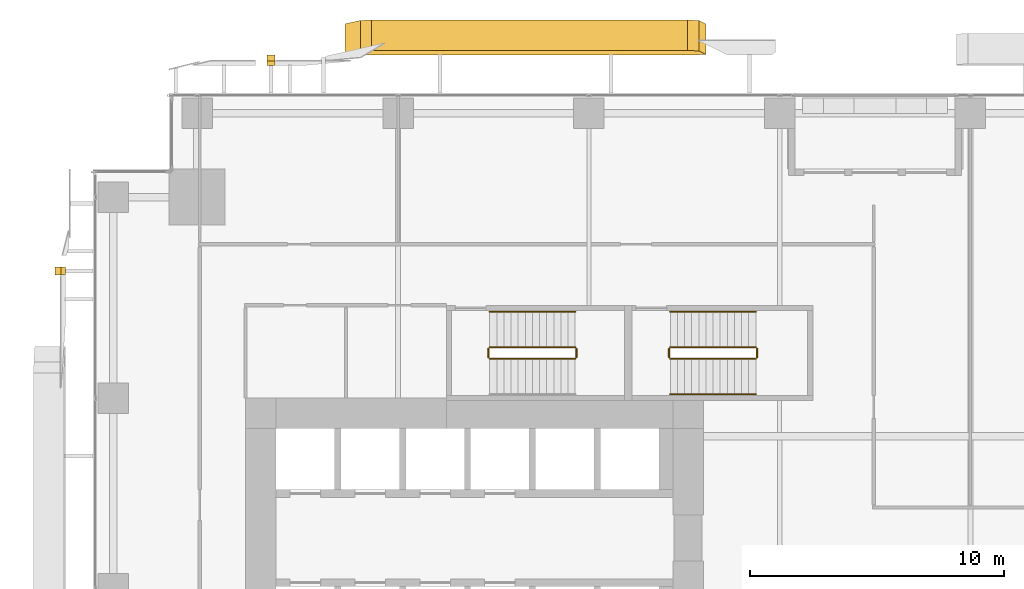
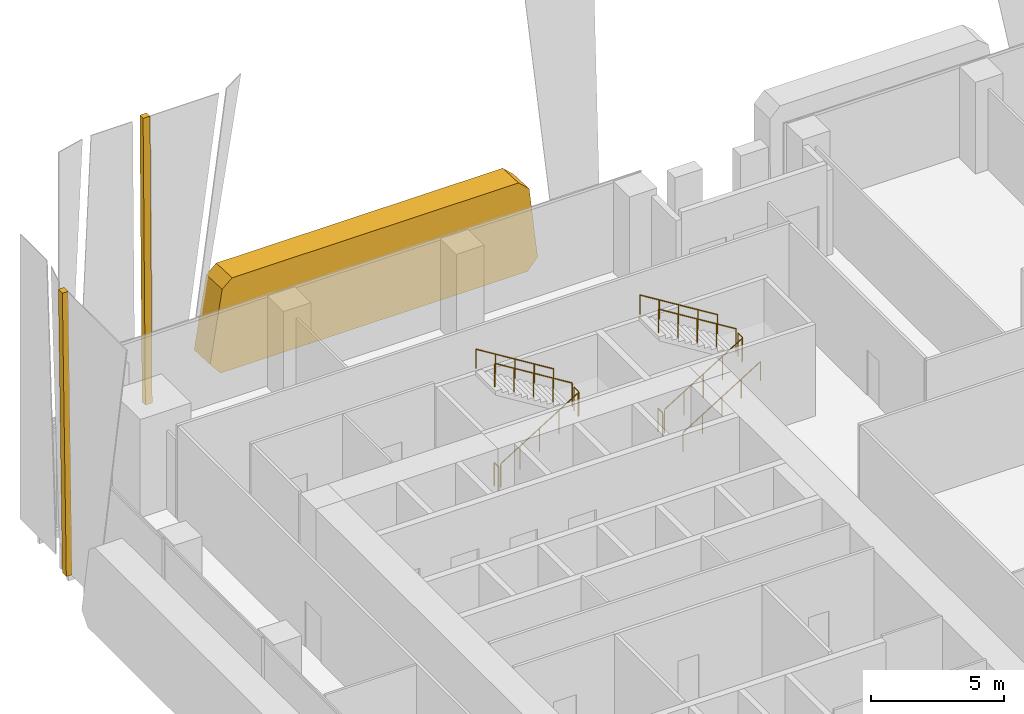
# One storey, part 34 of 36: 11 railings, 3 coverings.
"""IFC4 building model written with IfcOpenShell, lengths in metres."""

import ifcopenshell
import ifcopenshell.guid

model = None  # the IFC model being written
_history = None  # IfcOwnerHistory: only IFC2X3 demands one
_inside = {}  # id of a spatial element -> (the spatial element, [elements in it])
_under = {}  # id of a project, library or spatial element -> (it, [spatial elements below it])
_declared = {}  # id of a project -> (the project, [libraries it declares])
_typed = {}  # id of a type object -> (the type object, [elements of that type])
_made_of = {}  # id of a material, layer set ... -> (it, [elements and type objects made of it])


def new_model(schema):
    """Start an empty IFC model of exactly this schema.

    Asked for "IFC4X3", IfcOpenShell would pick the latest addendum, in which some entities
    have other attributes; the version numbers below select the first issue.
    IFC2X3 requires an IfcOwnerHistory on every rooted entity: one is made here for all.
    """
    global model, _history
    if schema == "IFC4X3":
        model = ifcopenshell.file(schema_version=(4, 3, 0, 0))
    else:
        model = ifcopenshell.file(schema=schema)
    _inside.clear()
    _under.clear()
    _declared.clear()
    _typed.clear()
    _made_of.clear()
    _history = None
    if model.schema == "IFC2X3":
        org = make("IfcOrganization", Name="unknown")
        user = make(
            "IfcPersonAndOrganization",
            ThePerson=make("IfcPerson", FamilyName="unknown"),
            TheOrganization=org,
        )
        app = make(
            "IfcApplication",
            ApplicationDeveloper=org,
            Version="unknown",
            ApplicationFullName="unknown",
            ApplicationIdentifier="unknown",
        )
        _history = make(
            "IfcOwnerHistory",
            OwningUser=user,
            OwningApplication=app,
            ChangeAction="ADDED",
            CreationDate=0,
        )
    return model


def make(cls, **values):
    """One entity of the class cls with the attributes given. An attribute that is None is left unset."""
    return model.create_entity(
        cls, **{name: value for name, value in values.items() if value is not None}
    )


def rooted(cls, **values):
    """An entity with a GlobalId (a new one), such as an element, a storey or a relation."""
    return make(cls, GlobalId=ifcopenshell.guid.new(), OwnerHistory=_history, **values)


def si_unit(unit_type, name, prefix=None):
    """IfcSIUnit, for example si_unit("LENGTHUNIT", "METRE", prefix="MILLI")."""
    return make("IfcSIUnit", UnitType=unit_type, Prefix=prefix, Name=name)


def assignment(units):
    """IfcUnitAssignment: the units of a project."""
    return None if units is None else make("IfcUnitAssignment", Units=units)


def point(xyz):
    """IfcCartesianPoint."""
    return None if xyz is None else make("IfcCartesianPoint", Coordinates=xyz)


def direction(xyz):
    """IfcDirection."""
    return None if xyz is None else make("IfcDirection", DirectionRatios=xyz)


def frame(location, z_axis=None, x_axis=None):
    """IfcAxis2Placement3D, a coordinate frame: its origin and axes. An axis left out is left unset."""
    return make(
        "IfcAxis2Placement3D",
        Location=point(location),
        Axis=direction(z_axis),
        RefDirection=direction(x_axis),
    )


def frame_2d(location, x_axis=None):
    """IfcAxis2Placement2D, a coordinate frame in the plane: its origin and x axis."""
    return make(
        "IfcAxis2Placement2D", Location=point(location), RefDirection=direction(x_axis)
    )


def origin():
    """The frame at (0, 0, 0) with its axes left unset."""
    return frame((0.0, 0.0, 0.0))


def origin_2d():
    """The frame at (0, 0) in the plane with its x axis left unset."""
    return frame_2d((0.0, 0.0))


def place(relative_to, where):
    """IfcLocalPlacement: puts the frame where relative to a parent placement (None: the world)."""
    return make(
        "IfcLocalPlacement", PlacementRelTo=relative_to, RelativePlacement=where
    )


def context(
    kind, dimensions, precision=None, world=None, true_north=None, identifier=None
):
    """IfcGeometricRepresentationContext, for example the 3D "Model" context."""
    return make(
        "IfcGeometricRepresentationContext",
        ContextIdentifier=identifier,
        ContextType=kind,
        CoordinateSpaceDimension=dimensions,
        Precision=precision,
        WorldCoordinateSystem=world,
        TrueNorth=true_north,
    )


def subcontext(parent, identifier, kind, view, scale=None):
    """IfcGeometricRepresentationSubContext, for example "Body" below "Model"."""
    return make(
        "IfcGeometricRepresentationSubContext",
        ContextIdentifier=identifier,
        ContextType=kind,
        ParentContext=parent,
        TargetScale=scale,
        TargetView=view,
    )


def project(units=None, contexts=None):
    """IfcProject with its units and contexts."""
    return rooted(
        "IfcProject",
        Name="project",
        RepresentationContexts=contexts,
        UnitsInContext=assignment(units),
    )


def spatial(cls, under=None, at=None, **own):
    """A site, building, storey or space (cls), placed at a placement, below another one or the project."""
    s = rooted(cls, ObjectPlacement=at, **own)
    if under is not None:
        _under.setdefault(under.id(), (under, []))[1].append(s)
    return s


def polyline(points):
    """IfcPolyline through the points."""
    return make("IfcPolyline", Points=[point(p) for p in points])


def profile(cls, at=None, kind="AREA", **sizes):
    """A parametric profile (cls). Its sizes go by their IFC names, for example OverallWidth=200.0."""
    return make(cls, ProfileType=kind, Position=at, **sizes)


def circle(**sizes):
    """IfcCircleProfileDef."""
    return profile("IfcCircleProfileDef", **sizes)


def outline(outer, holes=None, kind="AREA"):
    """IfcArbitraryClosedProfileDef: a profile drawn as a closed curve; with holes, ...WithVoids."""
    if holes is None:
        return make("IfcArbitraryClosedProfileDef", ProfileType=kind, OuterCurve=outer)
    return make(
        "IfcArbitraryProfileDefWithVoids",
        ProfileType=kind,
        OuterCurve=outer,
        InnerCurves=holes,
    )


def extrude(swept, where, along, depth):
    """IfcExtrudedAreaSolid: the profile swept, set in the frame where, extruded along a direction by depth."""
    return make(
        "IfcExtrudedAreaSolid",
        SweptArea=swept,
        Position=where,
        ExtrudedDirection=direction(along),
        Depth=depth,
    )


def shape(context_of_items, identifier, shape_type, items):
    """IfcShapeRepresentation: the items that make up one representation, for example the "Body"."""
    return make(
        "IfcShapeRepresentation",
        ContextOfItems=context_of_items,
        RepresentationIdentifier=identifier,
        RepresentationType=shape_type,
        Items=items,
    )


def source(mapping_origin, context_of_items, identifier, shape_type, items):
    """IfcRepresentationMap: a shape defined once, which mapped items show again and again."""
    return make(
        "IfcRepresentationMap",
        MappingOrigin=mapping_origin,
        MappedRepresentation=shape(context_of_items, identifier, shape_type, items),
    )


def transform(
    local_origin,
    x_axis=None,
    y_axis=None,
    z_axis=None,
    scale=None,
    scale2=None,
    scale3=None,
    uniform=True,
):
    """IfcCartesianTransformationOperator3D, or its non-uniform kind. x_axis, y_axis, z_axis: its Axis1, 2, 3."""
    if uniform:
        return make(
            "IfcCartesianTransformationOperator3D",
            Axis1=direction(x_axis),
            Axis2=direction(y_axis),
            LocalOrigin=point(local_origin),
            Scale=scale,
            Axis3=direction(z_axis),
        )
    return make(
        "IfcCartesianTransformationOperator3DnonUniform",
        Axis1=direction(x_axis),
        Axis2=direction(y_axis),
        LocalOrigin=point(local_origin),
        Scale=scale,
        Axis3=direction(z_axis),
        Scale2=scale2,
        Scale3=scale3,
    )


def mapped(mapping_source, mapping_target):
    """IfcMappedItem: shows the shape of a source again, moved by a transform."""
    return make(
        "IfcMappedItem", MappingSource=mapping_source, MappingTarget=mapping_target
    )


def material(Name=None, Category=None):
    """IfcMaterial."""
    return make("IfcMaterial", Name=Name, Category=Category)


def layer(
    of_material, thickness, ventilated=None, Name=None, Category=None, Priority=None
):
    """IfcMaterialLayer: one layer of a wall or slab, of a material (None: an air gap)."""
    return make(
        "IfcMaterialLayer",
        Material=of_material,
        LayerThickness=thickness,
        IsVentilated=ventilated,
        Name=Name,
        Category=Category,
        Priority=Priority,
    )


def layer_set(layers, Name=None):
    """IfcMaterialLayerSet."""
    return make("IfcMaterialLayerSet", MaterialLayers=layers, LayerSetName=Name)


def made_of(thing, what):
    """Note that an element or type object is made of a material, layer set ...; save() writes the relation."""
    if what is not None:
        _made_of.setdefault(what.id(), (what, []))[1].append(thing)
    return thing


def type_object(cls, material=None, **own):
    """A type object (cls), such as IfcWallType, which elements share."""
    return made_of(rooted(cls, **own), material)


def element(
    cls,
    number,
    at=None,
    inside=None,
    cuts=None,
    type_object=None,
    material=None,
    context=None,
    identifier="Body",
    shape_type=None,
    held_by="IfcProductDefinitionShape",
    body=None,
    shapes=None,
    **own,
):
    """One element of the class cls, such as IfcWall. Its Tag is "e" and its number.

    at: its placement. inside: the storey or other place that contains it. cuts: it is an
    opening in that element (IfcRelVoidsElement). A single representation is given by context,
    identifier, shape_type and body (its items); several are given by shapes. held_by: the class
    of the entity that holds the representations. save() writes the other relations.
    """
    e = rooted(cls, Tag="e%d" % number, ObjectPlacement=at, **own)
    if body is not None:
        shapes = [shape(context, identifier, shape_type, body)]
    if shapes is not None:
        e.Representation = make(held_by, Representations=shapes)
    if inside is not None:
        _inside.setdefault(inside.id(), (inside, []))[1].append(e)
    if cuts is not None:
        rooted(
            "IfcRelVoidsElement", RelatingBuildingElement=cuts, RelatedOpeningElement=e
        )
    if type_object is not None:
        _typed.setdefault(type_object.id(), (type_object, []))[1].append(e)
    return made_of(e, material)


def aggregate(whole, parts):
    """IfcRelAggregates: a whole, such as a stair, and the parts it consists of."""
    return rooted("IfcRelAggregates", RelatingObject=whole, RelatedObjects=parts)


def save(model, path):
    """Write the relations noted so far, then the file.

    IfcRelAggregates (storeys below a building ...), IfcRelContainedInSpatialStructure (elements
    in a storey), IfcRelDefinesByType, IfcRelAssociatesMaterial and IfcRelDeclares: one each for
    every whole, place, type object, material and project.
    """
    for whole, parts in _under.values():
        aggregate(whole, parts)
    for where, things in _inside.values():
        rooted(
            "IfcRelContainedInSpatialStructure",
            RelatedElements=things,
            RelatingStructure=where,
        )
    for kind, things in _typed.values():
        rooted("IfcRelDefinesByType", RelatedObjects=things, RelatingType=kind)
    for what, things in _made_of.values():
        rooted("IfcRelAssociatesMaterial", RelatedObjects=things, RelatingMaterial=what)
    for by, libraries in _declared.values():
        rooted("IfcRelDeclares", RelatingContext=by, RelatedDefinitions=libraries)
    model.write(path)


model = new_model("IFC4")

# Units and contexts
model_context = context("Model", 3, precision=1e-05, world=origin(), true_north=direction((0.0, 1.0)))
body_context = subcontext(model_context, "Body", "Model", "MODEL_VIEW")
ifc_project = project(units=[si_unit("LENGTHUNIT", "METRE"), si_unit("AREAUNIT", "SQUARE_METRE"), si_unit("VOLUMEUNIT", "CUBIC_METRE"), si_unit("PLANEANGLEUNIT", "RADIAN"), si_unit("MASSUNIT", "GRAM", prefix="KILO")], contexts=[model_context])

# Site, building, storey
site_placement = place(None, origin())
site = spatial("IfcSite", under=ifc_project, at=site_placement, CompositionType="ELEMENT")
building_placement = place(site_placement, origin())
building = spatial("IfcBuilding", under=site, at=building_placement, Name="Khomas Fold Tower", CompositionType="ELEMENT")
storey_placement = place(building_placement, frame((0.0, 0.0, 46.5)))
storey = spatial("IfcBuildingStorey", under=building, at=storey_placement, Name="L09", CompositionType="ELEMENT", Elevation=46.5)

# Coverings
ifc_material_1 = material(Name="Natural stone cladding", Category="masonry")
ifc_layer_1 = layer(ifc_material_1, 0.25)
ifc_layer_set_1 = layer_set([ifc_layer_1], Name="Natural stone cladding")
covering_type_1 = type_object("IfcCoveringType", Name="SK-Karibib marble stone mullion", PredefinedType="CLADDING", material=ifc_layer_set_1)
for number, where, z_axis, x_axis, name in (
    (1, (6.85009765625, 55.077392578125, 0.0), (0.0, -0.999913772879, 0.013131900334), (0.0, 0.013131900334, 0.999913772879), "OUTER SKIN mullion L09 NM099-3"),
    (2, (-1.248779296875, 47.14990234375, 13.050048828125), (0.999913772879, 0.0, 0.013131900334), (0.013131900334, 0.0, -0.999913772879), "OUTER SKIN mullion L09 WM107-8"),
):
    element("IfcCovering", number, at=place(storey_placement, frame(where, z_axis=z_axis, x_axis=x_axis)), inside=storey, type_object=covering_type_1, Name=name, PredefinedType="CLADDING", context=body_context, shape_type="SweptSolid", body=[
        extrude(outline(polyline([(0.0, 0.0), (13.051174193298111, 0.0), (13.051174193298111, -0.29980468749999994), (0.0, -0.29980468749999994), (0.0, 0.0)])), origin(), (0.0, 0.0, -1.0), 0.25),
    ])
ifc_material_2 = material(Name="Natural stone cladding", Category="masonry")
ifc_layer_2 = layer(ifc_material_2, 1.199951171875)
ifc_layer_set_2 = layer_set([ifc_layer_2], Name="Natural stone cladding")
covering_type_2 = type_object("IfcCoveringType", Name="SK-Karibib marble stone panel", PredefinedType="CLADDING", material=ifc_layer_set_2)
covering_placement = place(storey_placement, frame((23.82080078125, 55.650634765625, 3.640625), z_axis=(-1.116326e-06, -0.999041178889, 0.043780393807), x_axis=(0.090380237258, -0.04360131596, -0.994952429998)))
element("IfcCovering", 3, at=covering_placement, inside=storey, type_object=covering_type_2, Name="OUTER SKIN leaf L09 NS05-1", PredefinedType="CLADDING", context=body_context, shape_type="SweptSolid", body=[
    extrude(outline(polyline([(0.0, 0.0), (3.1658780843318555, 0.0), (3.6145703608779947, -0.4905586553181654), (2.4115820417702185, -13.7463867314732), (1.8384095002918106, -14.138080866722962), (-1.2469295542569714, -13.250614616829056), (-1.5710844108717485, -12.777486536406409), (-0.4486351215470458, -0.40912471014527907), (0.0, 0.0)])), origin(), (0.0, 0.0, -1.0), 1.199951171875),
])

# Railings
ifc_material_3 = material(Name="Steel balustrade", Category="steel")
railing_type_1 = type_object("IfcRailingType", Name="Stair guard", PredefinedType="GUARDRAIL", material=ifc_material_3)
shared_shape_1 = source(origin(), body_context, "Body", "SweptSolid", [
    extrude(circle(Radius=0.02392578125, at=origin_2d()), frame((0.0, 0.0, 1.076171875), z_axis=(0.850606129759, 0.0, 0.525803396734), x_axis=(0.0, 1.0, 0.0)), (0.0, 0.0, 1.0), 3.949951171875),
    extrude(circle(Radius=0.02099609375, at=origin_2d()), origin(), (0.0, 0.0, 1.0), 1.052001953125),
    extrude(circle(Radius=0.02099609375, at=origin_2d()), frame((0.83984375, 0.0, 0.519287109375)), (0.0, 0.0, 1.0), 1.052001953125),
    extrude(circle(Radius=0.02099609375, at=origin_2d()), frame((1.679931640625, 0.0, 1.03857421875)), (0.0, 0.0, 1.0), 1.052001953125),
    extrude(circle(Radius=0.02099609375, at=origin_2d()), frame((2.52001953125, 0.0, 1.5576171875)), (0.0, 0.0, 1.0), 1.052001953125),
    extrude(circle(Radius=0.02099609375, at=origin_2d()), frame((3.35986328125, 0.0, 2.076904296875)), (0.0, 0.0, 1.0), 1.052001953125),
])
railing_1_placement = place(storey_placement, frame((15.60009765625, 43.550048828125, 0.173095703125)))
element("IfcRailing", 4, at=railing_1_placement, inside=storey, type_object=railing_type_1, Name="L09 ST1 stair guard 1", PredefinedType="GUARDRAIL", context=body_context, shape_type="MappedRepresentation", body=[
    mapped(shared_shape_1, transform((0.0, 0.0, 0.0))),
])
shared_shape_2 = source(origin(), body_context, "Body", "SweptSolid", [
    extrude(circle(Radius=0.02392578125, at=origin_2d()), frame((0.0, 0.0, 1.076171875), z_axis=(0.0, 1.0, 0.0), x_axis=(-1.0, 0.0, 0.0)), (0.0, 0.0, 1.0), 0.349853515625),
    extrude(circle(Radius=0.02099609375, at=origin_2d()), origin(), (0.0, 0.0, 1.0), 1.052001953125),
    extrude(circle(Radius=0.02099609375, at=origin_2d()), frame((0.0, 0.349853515625, 0.0)), (0.0, 0.0, 1.0), 1.052001953125),
])
for number, where, name in (
    (5, (19.010009765625, 43.60009765625, 2.25), "L09 ST1 stair guard 2"),
    (6, (15.550048828125, 43.60009765625, 0.0), "L09 ST1 stair guard 4"),
    (7, (26.110107421875, 43.60009765625, 2.25), "L09 ST3 stair guard 2"),
    (8, (22.64990234375, 43.60009765625, 0.0), "L09 ST3 stair guard 4"),
):
    element("IfcRailing", number, at=place(storey_placement, frame(where)), inside=storey, type_object=railing_type_1, Name=name, PredefinedType="GUARDRAIL", context=body_context, shape_type="MappedRepresentation", body=[
        mapped(shared_shape_2, transform((0.0, 0.0, 0.0))),
    ])
shared_shape_3 = source(origin(), body_context, "Body", "SweptSolid", [
    extrude(circle(Radius=0.02392578125, at=origin_2d()), frame((0.0, 0.0, 1.076171875), z_axis=(-0.850606129759, 0.0, 0.525803396734), x_axis=(0.0, -1.0, 0.0)), (0.0, 0.0, 1.0), 3.949951171875),
    extrude(circle(Radius=0.02099609375, at=origin_2d()), origin(), (0.0, 0.0, 1.0), 1.052001953125),
    extrude(circle(Radius=0.02099609375, at=origin_2d()), frame((-0.83984375, 0.0, 0.519287109375)), (0.0, 0.0, 1.0), 1.052001953125),
    extrude(circle(Radius=0.02099609375, at=origin_2d()), frame((-1.679931640625, 0.0, 1.03857421875)), (0.0, 0.0, 1.0), 1.052001953125),
    extrude(circle(Radius=0.02099609375, at=origin_2d()), frame((-2.52001953125, 0.0, 1.5576171875)), (0.0, 0.0, 1.0), 1.052001953125),
    extrude(circle(Radius=0.02099609375, at=origin_2d()), frame((-3.35986328125, 0.0, 2.076904296875)), (0.0, 0.0, 1.0), 1.052001953125),
])
railing_2_placement = place(storey_placement, frame((18.9599609375, 44.0, 2.423095703125)))
element("IfcRailing", 9, at=railing_2_placement, inside=storey, type_object=railing_type_1, Name="L09 ST1 stair guard 3", PredefinedType="GUARDRAIL", context=body_context, shape_type="MappedRepresentation", body=[
    mapped(shared_shape_3, transform((0.0, 0.0, 0.0))),
])
ifc_material_4 = material(Name="Steel handrail", Category="steel")
railing_type_2 = type_object("IfcRailingType", Name="Stair handrail", PredefinedType="HANDRAIL", material=ifc_material_4)
shared_shape_4 = source(origin(), body_context, "Body", "SweptSolid", [
    extrude(circle(Radius=0.02392578125, at=origin_2d()), frame((0.0, 0.0, 0.8759765625), z_axis=(-0.850606129759, 0.0, 0.525803396734), x_axis=(0.0, -1.0, 0.0)), (0.0, 0.0, 1.0), 3.949951171875),
    extrude(circle(Radius=0.02099609375, at=origin_2d()), origin(), (0.0, 0.0, 1.0), 0.851806640625),
    extrude(circle(Radius=0.02099609375, at=origin_2d()), frame((-0.83984375, 0.0, 0.519287109375)), (0.0, 0.0, 1.0), 0.851806640625),
    extrude(circle(Radius=0.02099609375, at=origin_2d()), frame((-1.679931640625, 0.0, 1.03857421875)), (0.0, 0.0, 1.0), 0.851806640625),
    extrude(circle(Radius=0.02099609375, at=origin_2d()), frame((-2.52001953125, 0.0, 1.5576171875)), (0.0, 0.0, 1.0), 0.851806640625),
    extrude(circle(Radius=0.02099609375, at=origin_2d()), frame((-3.35986328125, 0.0, 2.076904296875)), (0.0, 0.0, 1.0), 0.851806640625),
])
railing_3_placement = place(storey_placement, frame((18.9599609375, 45.39990234375, 2.423095703125)))
element("IfcRailing", 10, at=railing_3_placement, inside=storey, type_object=railing_type_2, Name="L09 ST1 stair handrail 2", PredefinedType="HANDRAIL", context=body_context, shape_type="MappedRepresentation", body=[
    mapped(shared_shape_4, transform((0.0, 0.0, 0.0))),
])
shared_shape_5 = source(origin(), body_context, "Body", "SweptSolid", [
    extrude(circle(Radius=0.02392578125, at=origin_2d()), frame((0.0, 0.0, 1.076171875), z_axis=(0.850623216509, 0.0, 0.525775754039), x_axis=(0.0, 1.0, 0.0)), (0.0, 0.0, 1.0), 3.9501953125),
    extrude(circle(Radius=0.02099609375, at=origin_2d()), origin(), (0.0, 0.0, 1.0), 1.052001953125),
    extrude(circle(Radius=0.02099609375, at=origin_2d()), frame((0.840087890625, 0.0, 0.519287109375)), (0.0, 0.0, 1.0), 1.052001953125),
    extrude(circle(Radius=0.02099609375, at=origin_2d()), frame((1.68017578125, 0.0, 1.03857421875)), (0.0, 0.0, 1.0), 1.052001953125),
    extrude(circle(Radius=0.02099609375, at=origin_2d()), frame((2.52001953125, 0.0, 1.5576171875)), (0.0, 0.0, 1.0), 1.052001953125),
    extrude(circle(Radius=0.02099609375, at=origin_2d()), frame((3.360107421875, 0.0, 2.076904296875)), (0.0, 0.0, 1.0), 1.052001953125),
])
railing_4_placement = place(storey_placement, frame((22.699951171875, 43.550048828125, 0.173095703125)))
element("IfcRailing", 11, at=railing_4_placement, inside=storey, type_object=railing_type_1, Name="L09 ST3 stair guard 1", PredefinedType="GUARDRAIL", context=body_context, shape_type="MappedRepresentation", body=[
    mapped(shared_shape_5, transform((0.0, 0.0, 0.0))),
])
shared_shape_6 = source(origin(), body_context, "Body", "SweptSolid", [
    extrude(circle(Radius=0.02392578125, at=origin_2d()), frame((0.0, 0.0, 1.076171875), z_axis=(-0.850623216509, 0.0, 0.525775754039), x_axis=(0.0, -1.0, 0.0)), (0.0, 0.0, 1.0), 3.9501953125),
    extrude(circle(Radius=0.02099609375, at=origin_2d()), origin(), (0.0, 0.0, 1.0), 1.052001953125),
    extrude(circle(Radius=0.02099609375, at=origin_2d()), frame((-0.840087890625, 0.0, 0.519287109375)), (0.0, 0.0, 1.0), 1.052001953125),
    extrude(circle(Radius=0.02099609375, at=origin_2d()), frame((-1.68017578125, 0.0, 1.03857421875)), (0.0, 0.0, 1.0), 1.052001953125),
    extrude(circle(Radius=0.02099609375, at=origin_2d()), frame((-2.52001953125, 0.0, 1.5576171875)), (0.0, 0.0, 1.0), 1.052001953125),
    extrude(circle(Radius=0.02099609375, at=origin_2d()), frame((-3.360107421875, 0.0, 2.076904296875)), (0.0, 0.0, 1.0), 1.052001953125),
])
railing_5_placement = place(storey_placement, frame((26.06005859375, 44.0, 2.423095703125)))
element("IfcRailing", 12, at=railing_5_placement, inside=storey, type_object=railing_type_1, Name="L09 ST3 stair guard 3", PredefinedType="GUARDRAIL", context=body_context, shape_type="MappedRepresentation", body=[
    mapped(shared_shape_6, transform((0.0, 0.0, 0.0))),
])
shared_shape_7 = source(origin(), body_context, "Body", "SweptSolid", [
    extrude(circle(Radius=0.02392578125, at=origin_2d()), frame((0.0, 0.0, 0.8759765625), z_axis=(0.850623216509, 0.0, 0.525775754039), x_axis=(0.0, 1.0, 0.0)), (0.0, 0.0, 1.0), 3.9501953125),
    extrude(circle(Radius=0.02099609375, at=origin_2d()), origin(), (0.0, 0.0, 1.0), 0.851806640625),
    extrude(circle(Radius=0.02099609375, at=origin_2d()), frame((0.840087890625, 0.0, 0.519287109375)), (0.0, 0.0, 1.0), 0.851806640625),
    extrude(circle(Radius=0.02099609375, at=origin_2d()), frame((1.68017578125, 0.0, 1.03857421875)), (0.0, 0.0, 1.0), 0.851806640625),
    extrude(circle(Radius=0.02099609375, at=origin_2d()), frame((2.52001953125, 0.0, 1.5576171875)), (0.0, 0.0, 1.0), 0.851806640625),
    extrude(circle(Radius=0.02099609375, at=origin_2d()), frame((3.360107421875, 0.0, 2.076904296875)), (0.0, 0.0, 1.0), 0.851806640625),
])
railing_6_placement = place(storey_placement, frame((22.699951171875, 42.14990234375, 0.173095703125)))
element("IfcRailing", 13, at=railing_6_placement, inside=storey, type_object=railing_type_2, Name="L09 ST3 stair handrail 1", PredefinedType="HANDRAIL", context=body_context, shape_type="MappedRepresentation", body=[
    mapped(shared_shape_7, transform((0.0, 0.0, 0.0))),
])
shared_shape_8 = source(origin(), body_context, "Body", "SweptSolid", [
    extrude(circle(Radius=0.02392578125, at=origin_2d()), frame((0.0, 0.0, 0.8759765625), z_axis=(-0.850623216509, 0.0, 0.525775754039), x_axis=(0.0, -1.0, 0.0)), (0.0, 0.0, 1.0), 3.9501953125),
    extrude(circle(Radius=0.02099609375, at=origin_2d()), origin(), (0.0, 0.0, 1.0), 0.851806640625),
    extrude(circle(Radius=0.02099609375, at=origin_2d()), frame((-0.840087890625, 0.0, 0.519287109375)), (0.0, 0.0, 1.0), 0.851806640625),
    extrude(circle(Radius=0.02099609375, at=origin_2d()), frame((-1.68017578125, 0.0, 1.03857421875)), (0.0, 0.0, 1.0), 0.851806640625),
    extrude(circle(Radius=0.02099609375, at=origin_2d()), frame((-2.52001953125, 0.0, 1.5576171875)), (0.0, 0.0, 1.0), 0.851806640625),
    extrude(circle(Radius=0.02099609375, at=origin_2d()), frame((-3.360107421875, 0.0, 2.076904296875)), (0.0, 0.0, 1.0), 0.851806640625),
])
railing_7_placement = place(storey_placement, frame((26.06005859375, 45.39990234375, 2.423095703125)))
element("IfcRailing", 14, at=railing_7_placement, inside=storey, type_object=railing_type_2, Name="L09 ST3 stair handrail 2", PredefinedType="HANDRAIL", context=body_context, shape_type="MappedRepresentation", body=[
    mapped(shared_shape_8, transform((0.0, 0.0, 0.0))),
])

save(model, "model.ifc")
